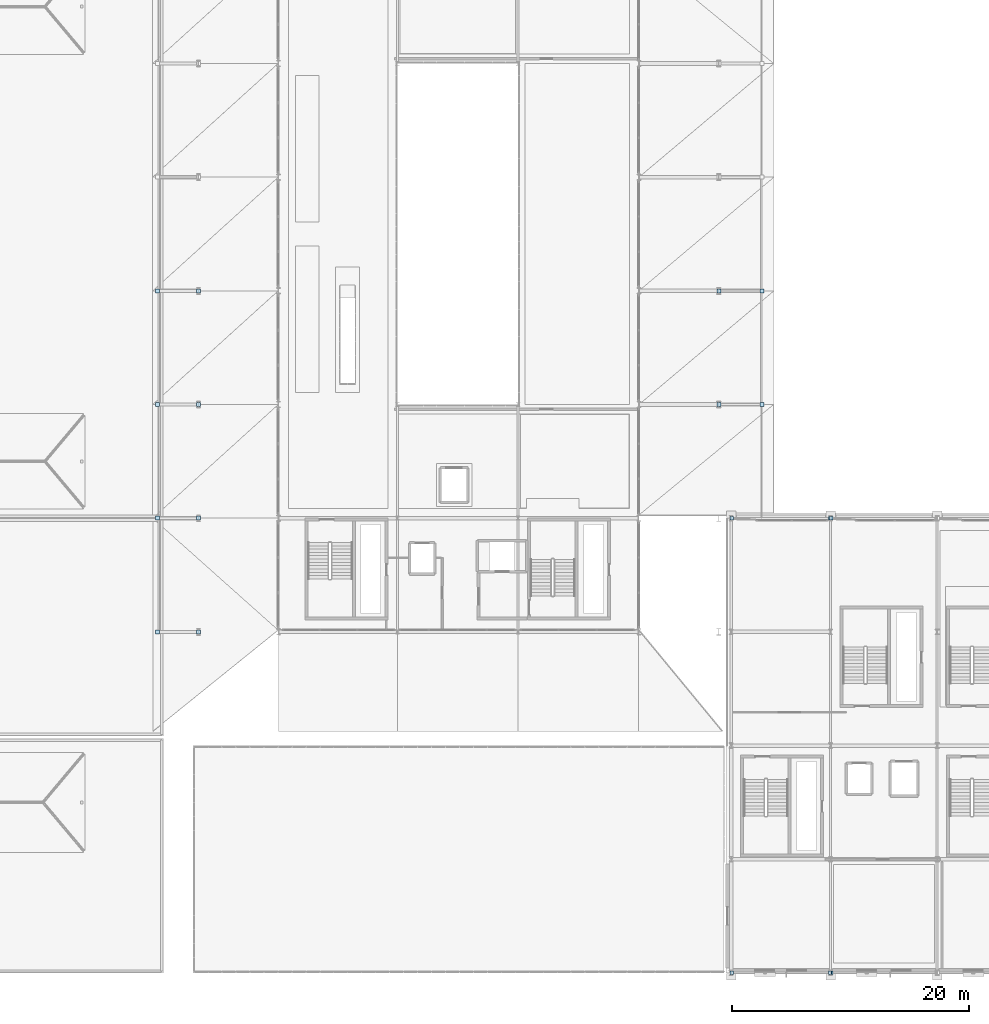
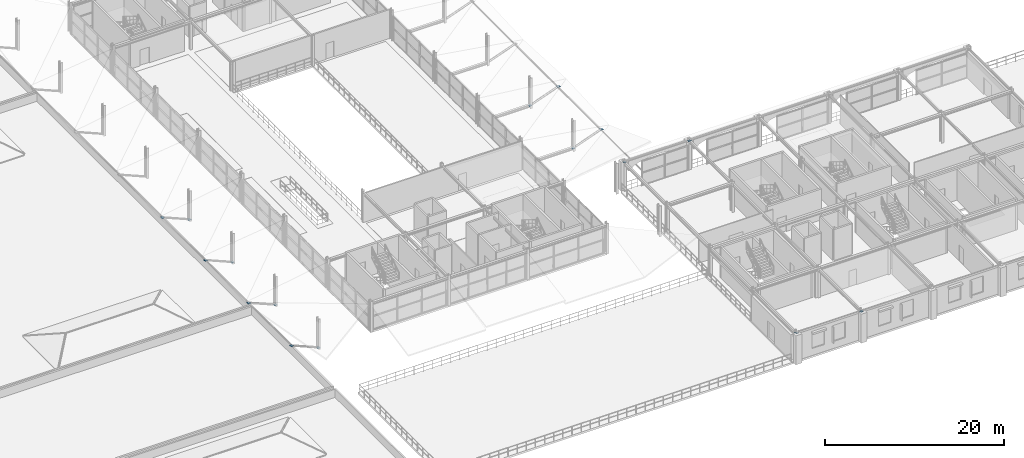
# One storey, part 40 of 81: 18 plates.
"""IFC4 building model written with IfcOpenShell, lengths in metres."""

from ifc_helpers import new_model, si_unit, direction, frame, origin, origin_2d, place, context, subcontext, project, spatial, rectangle, extrude, material, layer, layer_set, type_object, element, save


model = new_model("IFC4")

# Units and contexts
model_context = context("Model", 3, precision=1e-05, world=origin(), true_north=direction((0.0, 1.0)))
body_context = subcontext(model_context, "Body", "Model", "MODEL_VIEW")
ifc_project = project(units=[si_unit("LENGTHUNIT", "METRE"), si_unit("AREAUNIT", "SQUARE_METRE"), si_unit("VOLUMEUNIT", "CUBIC_METRE"), si_unit("PLANEANGLEUNIT", "RADIAN"), si_unit("MASSUNIT", "GRAM", prefix="KILO")], contexts=[model_context])

# Site, building, storey
site_placement = place(None, origin())
site = spatial("IfcSite", under=ifc_project, at=site_placement, CompositionType="ELEMENT")
building_placement = place(site_placement, origin())
building = spatial("IfcBuilding", under=site, at=building_placement, Name="Myrtia Square Station", CompositionType="ELEMENT")
storey_placement = place(building_placement, frame((0.0, 0.0, 10.800048828125)))
storey = spatial("IfcBuildingStorey", under=building, at=storey_placement, Name="L02", CompositionType="ELEMENT", Elevation=10.800048828125)

# Plates
ifc_material = material(Name="Steel S355", Category="steel")
ifc_layer_1 = layer(ifc_material, 0.01611328125, Name="Steel S355")
ifc_layer_set_1 = layer_set([ifc_layer_1], Name="Steel S355")
plate_type_1 = type_object("IfcPlateType", Name="PLT-GUS16", PredefinedType="USERDEFINED", material=ifc_layer_set_1)
for number, where, z_axis, x_axis, name in (
    (1, (117.64990234375, 0.0, 3.826904296875), (0.0, 0.0, 1.0), (1.0, 0.0, 0.0), "Truss node gusset plate SPN-L02-0196-1"),
    (2, (125.949951171875, 0.0, 3.826904296875), (0.0, 0.0, 1.0), (1.0, 0.0, 0.0), "Truss node gusset plate SPN-L02-0196-2"),
    (3, (126.050048828125, 0.0, 3.826904296875), (0.0, 0.0, 1.0), (1.0, 0.0, 0.0), "Truss node gusset plate SPN-L02-0197-1"),
    (4, (117.64990234375, 38.39990234375, 3.826904296875), (0.0, 0.0, 1.0), (1.0, 0.0, 0.0), "Truss node gusset plate SPN-L02-0201-1"),
    (5, (125.949951171875, 38.39990234375, 3.826904296875), (0.0, 0.0, 1.0), (1.0, 0.0, 0.0), "Truss node gusset plate SPN-L02-0201-2"),
    (6, (126.050048828125, 38.39990234375, 3.826904296875), (0.0, 0.0, 1.0), (1.0, 0.0, 0.0), "Truss node gusset plate SPN-L02-0202-1"),
):
    element("IfcPlate", number, at=place(storey_placement, frame(where, z_axis=z_axis, x_axis=x_axis)), inside=storey, type_object=plate_type_1, Name=name, ObjectType="GUSSET PLATE", PredefinedType="USERDEFINED", context=body_context, shape_type="SweptSolid", body=[
        extrude(rectangle(XDim=0.280029296875, YDim=0.280029296875, at=origin_2d()), origin(), (0.0, 0.0, 1.0), 0.01611328125),
    ])
ifc_layer_2 = layer(ifc_material, 0.02001953125, Name="Steel S355")
ifc_layer_set_2 = layer_set([ifc_layer_2], Name="Steel S355")
plate_type_2 = type_object("IfcPlateType", Name="PLT-GUS20", PredefinedType="USERDEFINED", material=ifc_layer_set_2)
for number, where, z_axis, x_axis, name in (
    (7, (72.60009765625, 28.800048828125, 0.139892578125), (0.0, 0.0, 1.0), (-1.0, 0.0, 0.0), "Truss node gusset plate STR-LO-003-1"),
    (8, (69.14990234375, 28.800048828125, 1.60498046875), (0.0, 0.0, 1.0), (-1.0, 0.0, 0.0), "Truss node gusset plate STR-LO-003-2"),
    (9, (72.60009765625, 38.39990234375, 0.139892578125), (0.0, 0.0, 1.0), (-1.0, 0.0, 0.0), "Truss node gusset plate STR-LO-006-1"),
    (10, (69.14990234375, 38.39990234375, 1.60498046875), (0.0, 0.0, 1.0), (-1.0, 0.0, 0.0), "Truss node gusset plate STR-LO-006-2"),
    (11, (72.60009765625, 48.0, 0.139892578125), (0.0, 0.0, 1.0), (-1.0, 0.0, 0.0), "Truss node gusset plate STR-LO-009-1"),
    (12, (69.14990234375, 48.0, 1.60498046875), (0.0, 0.0, 1.0), (-1.0, 0.0, 0.0), "Truss node gusset plate STR-LO-009-2"),
    (13, (116.550048828125, 48.0, 0.2900390625), (0.0, 0.0, 1.0), (1.0, 0.0, 0.0), "Truss node gusset plate STR-LO-010-1"),
    (14, (120.199951171875, 48.0, 1.60498046875), (0.0, 0.0, 1.0), (1.0, 0.0, 0.0), "Truss node gusset plate STR-LO-010-2"),
    (15, (72.60009765625, 57.60009765625, 0.139892578125), (0.0, 0.0, 1.0), (-1.0, 0.0, 0.0), "Truss node gusset plate STR-LO-013-1"),
    (16, (69.14990234375, 57.60009765625, 1.60498046875), (0.0, 0.0, 1.0), (-1.0, 0.0, 0.0), "Truss node gusset plate STR-LO-013-2"),
    (17, (116.550048828125, 57.60009765625, 0.2900390625), (0.0, 0.0, 1.0), (1.0, 0.0, 0.0), "Truss node gusset plate STR-LO-014-1"),
    (18, (120.199951171875, 57.60009765625, 1.60498046875), (0.0, 0.0, 1.0), (1.0, 0.0, 0.0), "Truss node gusset plate STR-LO-014-2"),
):
    element("IfcPlate", number, at=place(storey_placement, frame(where, z_axis=z_axis, x_axis=x_axis)), inside=storey, type_object=plate_type_2, Name=name, ObjectType="GUSSET PLATE", PredefinedType="USERDEFINED", context=body_context, shape_type="SweptSolid", body=[
        extrude(rectangle(XDim=0.340087890625, YDim=0.340087890625, at=origin_2d()), origin(), (0.0, 0.0, 1.0), 0.02001953125),
    ])

save(model, "model.ifc")
